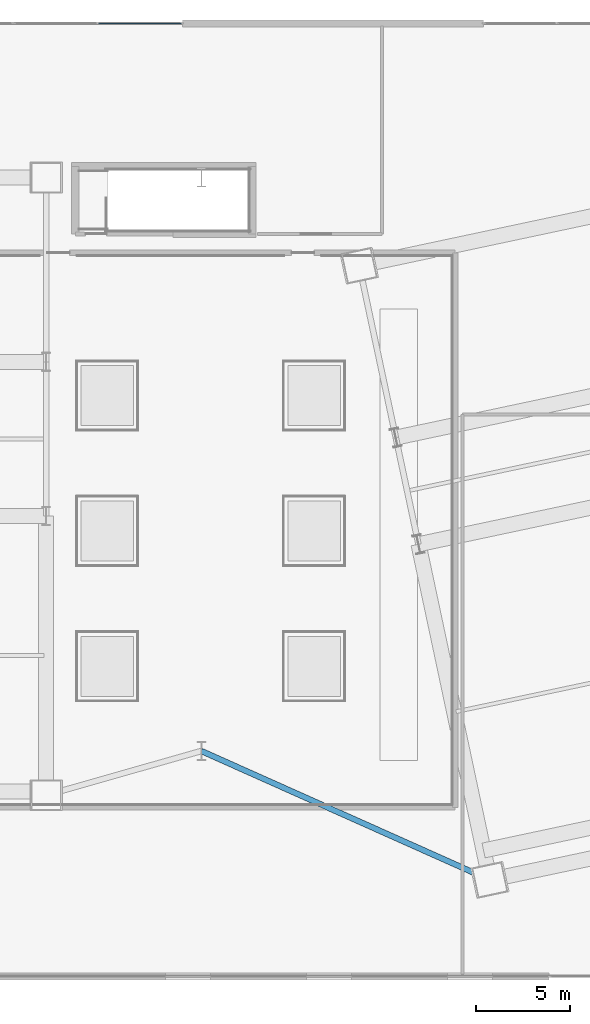
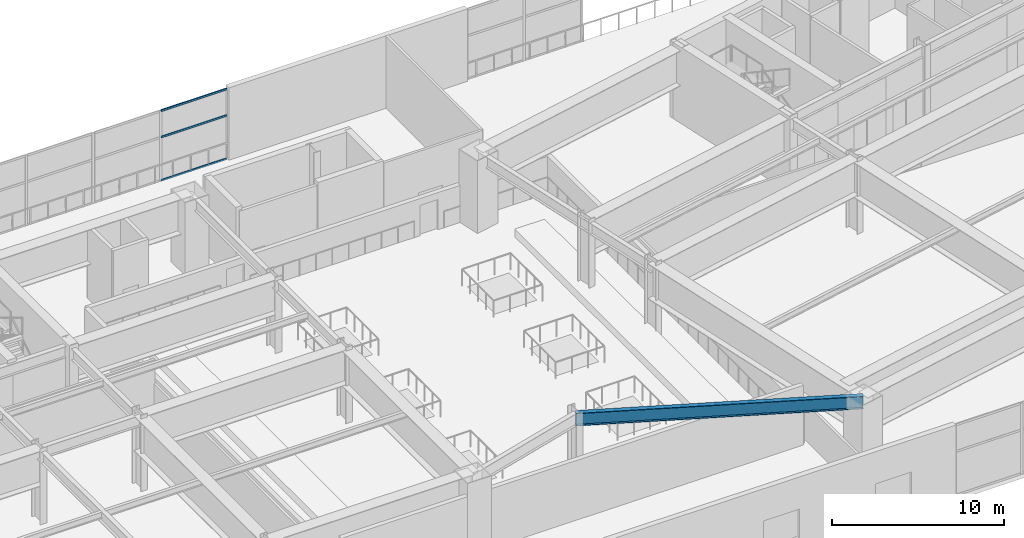
# One storey, part 7 of 29: 3 members, 1 beam, 1 element without a shape of its own.
"""IFC4 building model written with IfcOpenShell, lengths in metres."""

from ifc_helpers import new_model, si_unit, direction, frame, origin, origin_2d, place, context, subcontext, project, spatial, hollow_rectangle, i_section, extrude, material, layer, layer_set, material_profile, profile_set, type_object, element, aggregate, save


model = new_model("IFC4")

# Units and contexts
model_context = context("Model", 3, precision=1e-05, world=origin(), true_north=direction((0.0, 1.0)))
body_context = subcontext(model_context, "Body", "Model", "MODEL_VIEW")
ifc_project = project(units=[si_unit("LENGTHUNIT", "METRE"), si_unit("AREAUNIT", "SQUARE_METRE"), si_unit("VOLUMEUNIT", "CUBIC_METRE"), si_unit("PLANEANGLEUNIT", "RADIAN"), si_unit("MASSUNIT", "GRAM", prefix="KILO")], contexts=[model_context])

# Site, building, storey
site_placement = place(None, origin())
site = spatial("IfcSite", under=ifc_project, at=site_placement, CompositionType="ELEMENT")
building_placement = place(site_placement, origin())
building = spatial("IfcBuilding", under=site, at=building_placement, Name="Haevon Station Towers", CompositionType="ELEMENT")
storey_placement = place(building_placement, frame((0.0, 0.0, 25.199951171875)))
storey = spatial("IfcBuildingStorey", under=building, at=storey_placement, Name="L05", CompositionType="ELEMENT", Elevation=25.199951171875)

# Beam
ifc_material_1 = material(Name="Steel S355", Category="steel")
ifc_material_profile_1 = material_profile(ifc_material_1, i_section(OverallWidth=0.300048828125, OverallDepth=0.89990234375, WebThickness=0.01611328125, FlangeThickness=0.028076171875, at=origin_2d()), Name="H-900x300x16x28")
ifc_profile_set_1 = profile_set([ifc_material_profile_1], Name="Steel S355")
beam_type = type_object("IfcBeamType", Name="BM-PG900", PredefinedType="BEAM", material=ifc_profile_set_1)
beam_placement = place(storey_placement, frame((73.0, 17.5, 4.699951171875), z_axis=(0.913018608866, -0.407917908242, 0.0), x_axis=(0.407917908242, 0.913018608866, 0.0)))
element("IfcBeam", 1, at=beam_placement, inside=storey, type_object=beam_type, Name="BM-PODLKS2-L05", PredefinedType="BEAM", context=body_context, shape_type="SweptSolid", body=[
    extrude(i_section(OverallWidth=0.300048828125, OverallDepth=0.89990234375, WebThickness=0.01611328125, FlangeThickness=0.028076171875, at=origin_2d()), origin(), (0.0, 0.0, 1.0), 16.80908203125),
])

# Curtain wall, members
ifc_material_2 = material(Name="Anodised aluminium and Low-E double glazing", Category="aluminium")
ifc_layer = layer(ifc_material_2, 0.179931640625)
ifc_layer_set = layer_set([ifc_layer], Name="Anodised aluminium and Low-E double glazing")
curtain_wall_type = type_object("IfcCurtainWallType", Name="CW-SYS3", PredefinedType="NOTDEFINED", material=ifc_layer_set)
curtain_wall_placement = place(storey_placement, origin())
curtain_wall = element("IfcCurtainWall", 2, at=curtain_wall_placement, inside=storey, type_object=curtain_wall_type, Name="L05 Curtain Wall CW-POD-L05-N2", PredefinedType="NOTDEFINED")
ifc_material_3 = material(Name="Anodised aluminium 6063-T6", Category="aluminium")
ifc_material_profile_2 = material_profile(ifc_material_3, hollow_rectangle(XDim=0.06494140625, YDim=0.139892578125, WallThickness=0.00341796875, at=origin_2d()), Name="CWT-140x65x3.5")
ifc_profile_set_2 = profile_set([ifc_material_profile_2], Name="Anodised aluminium 6063-T6")
member_type = type_object("IfcMemberType", Name="CWT-140", PredefinedType="USERDEFINED", material=ifc_profile_set_2)
member_1_placement = place(storey_placement, frame((67.532470703125, 56.199951171875, 0.032470703125), z_axis=(1.0, 0.0, 0.0), x_axis=(0.0, 1.0, 0.0)))
member_1 = element("IfcMember", 3, at=member_1_placement, type_object=member_type, Name="CW-SYS3 transom 2.1", ObjectType="TRANSOM", PredefinedType="USERDEFINED", context=body_context, shape_type="SweptSolid", body=[
    extrude(hollow_rectangle(XDim=0.06494140625, YDim=0.139892578125, WallThickness=0.00341796875, at=origin_2d()), origin(), (0.0, 0.0, 1.0), 4.402587890625),
])
member_2_placement = place(storey_placement, frame((67.532470703125, 56.199951171875, 3.10009765625), z_axis=(1.0, 0.0, 0.0), x_axis=(0.0, 1.0, 0.0)))
member_2 = element("IfcMember", 4, at=member_2_placement, type_object=member_type, Name="CW-SYS3 transom 2.2", ObjectType="TRANSOM", PredefinedType="USERDEFINED", context=body_context, shape_type="SweptSolid", body=[
    extrude(hollow_rectangle(XDim=0.06494140625, YDim=0.139892578125, WallThickness=0.00341796875, at=origin_2d()), origin(), (0.0, 0.0, 1.0), 4.402587890625),
])
member_3_placement = place(storey_placement, frame((67.532470703125, 56.199951171875, 4.967529296875), z_axis=(1.0, 0.0, 0.0), x_axis=(0.0, 1.0, 0.0)))
member_3 = element("IfcMember", 5, at=member_3_placement, type_object=member_type, Name="CW-SYS3 transom 2.3", ObjectType="TRANSOM", PredefinedType="USERDEFINED", context=body_context, shape_type="SweptSolid", body=[
    extrude(hollow_rectangle(XDim=0.06494140625, YDim=0.139892578125, WallThickness=0.00341796875, at=origin_2d()), origin(), (0.0, 0.0, 1.0), 4.402587890625),
])
aggregate(curtain_wall, [member_1, member_2, member_3])

save(model, "model.ifc")
